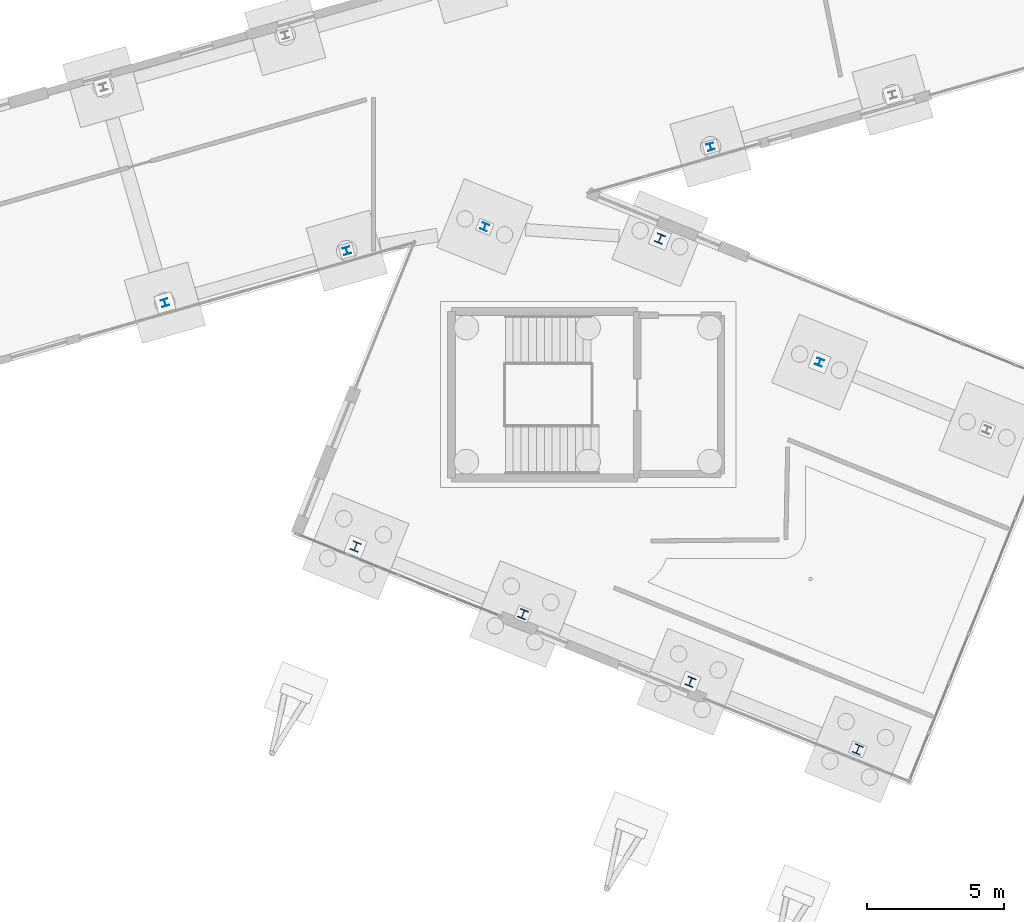
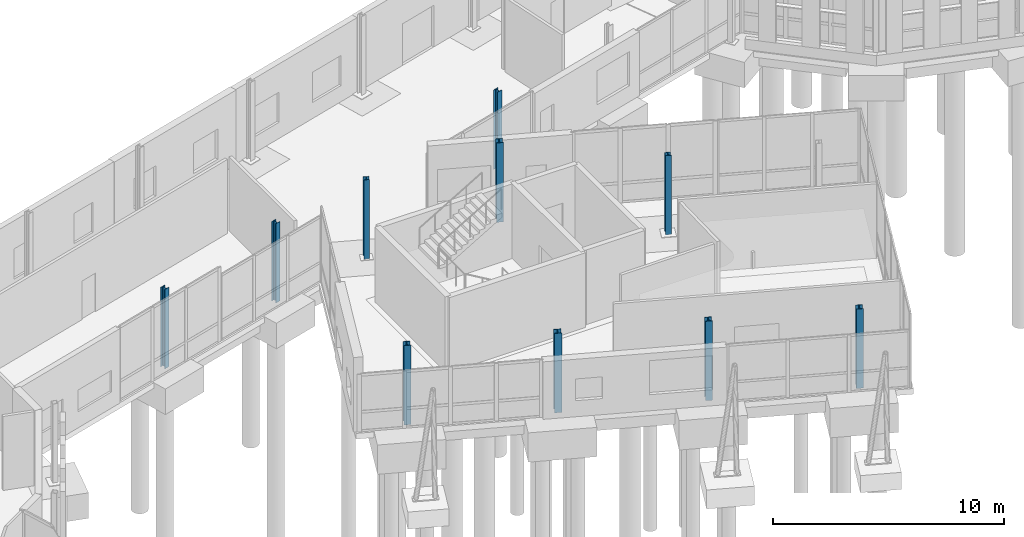
# One storey, part 14 of 113: 10 columns.
"""IFC4 building model written with IfcOpenShell, lengths in metres."""

from ifc_helpers import new_model, si_unit, direction, frame, origin, origin_2d, place, context, subcontext, project, spatial, i_section, extrude, material, material_profile, profile_set, type_object, element, save


model = new_model("IFC4")

# Units and contexts
model_context = context("Model", 3, precision=1e-05, world=origin(), true_north=direction((0.0, 1.0)))
body_context = subcontext(model_context, "Body", "Model", "MODEL_VIEW")
ifc_project = project(units=[si_unit("LENGTHUNIT", "METRE"), si_unit("AREAUNIT", "SQUARE_METRE"), si_unit("VOLUMEUNIT", "CUBIC_METRE"), si_unit("PLANEANGLEUNIT", "RADIAN"), si_unit("MASSUNIT", "GRAM", prefix="KILO")], contexts=[model_context])

# Site, building, storey
site_placement = place(None, origin())
site = spatial("IfcSite", under=ifc_project, at=site_placement, CompositionType="ELEMENT")
building_placement = place(site_placement, origin())
building = spatial("IfcBuilding", under=site, at=building_placement, Name="Wrenclough Park School", CompositionType="ELEMENT")
storey_placement = place(building_placement, origin())
storey = spatial("IfcBuildingStorey", under=building, at=storey_placement, Name="L00", CompositionType="ELEMENT", Elevation=0.0)

# Columns
ifc_material = material(Name="Structural steel S355", Category="steel")
ifc_material_profile_1 = material_profile(ifc_material, i_section(OverallWidth=0.254638671875, OverallDepth=0.254150390625, WebThickness=0.008544921875, FlangeThickness=0.01416015625, FilletRadius=0.0126953125, at=origin_2d()), Name="UKC 254x254x73")
ifc_profile_set_1 = profile_set([ifc_material_profile_1], Name="Structural steel S355")
column_type_1 = type_object("IfcColumnType", Name="STR-COL-UKC254A", PredefinedType="COLUMN", material=ifc_profile_set_1)
for number, where, z_axis, x_axis, name in (
    (1, (49.268798828125, 94.030029296875, 0.0), (0.0, 0.0, 1.0), (0.927183854567, -0.374606593416, 0.0), "W34 L00 column EAVE-COURTYARD-B1"),
    (2, (61.5078125, 89.085205078125, 0.0), (0.0, 0.0, 1.0), (0.927183854567, -0.374606593416, 0.0), "W34 L00 column EAVE-COURTYARD-B3"),
    (3, (37.576416015625, 91.2578125, 0.0), (0.0, 0.0, 1.0), (0.961501868857, 0.27479839189, 0.0), "W34 L00 column W34-C1-R03"),
    (4, (44.226318359375, 93.15771484375, 0.0), (0.0, 0.0, 1.0), (0.961501868857, 0.27479839189, 0.0), "W34 L00 column W34-C1-R04"),
    (5, (57.5263671875, 96.957763671875, 0.0), (0.0, 0.0, 1.0), (0.961501868857, 0.27479839189, 0.0), "W34 L00 column W34-C1-R06"),
):
    element("IfcColumn", number, at=place(storey_placement, frame(where, z_axis=z_axis, x_axis=x_axis)), inside=storey, type_object=column_type_1, Name=name, PredefinedType="COLUMN", context=body_context, shape_type="SweptSolid", body=[
        extrude(i_section(OverallWidth=0.254638671875, OverallDepth=0.254150390625, WebThickness=0.008544921875, FlangeThickness=0.01416015625, FilletRadius=0.0126953125, at=origin_2d()), origin(), (0.0, 0.0, 1.0), 4.199951171875),
    ])
ifc_material_profile_2 = material_profile(ifc_material, i_section(OverallWidth=0.311279296875, OverallDepth=0.3271484375, WebThickness=0.015869140625, FlangeThickness=0.02490234375, FilletRadius=0.01513671875, at=origin_2d()), Name="UKC 305x305x158")
ifc_profile_set_2 = profile_set([ifc_material_profile_2], Name="Structural steel S355")
column_type_2 = type_object("IfcColumnType", Name="STR-COL-UKC305B", PredefinedType="COLUMN", material=ifc_profile_set_2)
for number, where, z_axis, x_axis, name in (
    (6, (44.548828125, 82.347412109375, 0.0), (0.0, 0.0, 1.0), (0.927183854567, -0.374606593416, 0.0), "W34 L00 column EAVE-COURTYARD-F1"),
    (7, (50.668212890625, 79.875, 0.0), (0.0, 0.0, 1.0), (0.927183854567, -0.374606593416, 0.0), "W34 L00 column EAVE-COURTYARD-F2"),
    (8, (56.78759765625, 77.402587890625, 0.0), (0.0, 0.0, 1.0), (0.927183854567, -0.374606593416, 0.0), "W34 L00 column EAVE-COURTYARD-F3"),
    (9, (62.906982421875, 74.93017578125, 0.0), (0.0, 0.0, 1.0), (0.927183854567, -0.374606593416, 0.0), "W34 L00 column EAVE-COURTYARD-F4"),
    (10, (55.673828125, 93.59912109375, 0.0), (0.0, 0.0, 1.0), (0.927183854567, -0.374606593416, 0.0), "W34 L00 column W34DP--4-7"),
):
    element("IfcColumn", number, at=place(storey_placement, frame(where, z_axis=z_axis, x_axis=x_axis)), inside=storey, type_object=column_type_2, Name=name, PredefinedType="COLUMN", context=body_context, shape_type="SweptSolid", body=[
        extrude(i_section(OverallWidth=0.311279296875, OverallDepth=0.3271484375, WebThickness=0.015869140625, FlangeThickness=0.02490234375, FilletRadius=0.01513671875, at=origin_2d()), origin(), (0.0, 0.0, 1.0), 4.199951171875),
    ])

save(model, "model.ifc")
